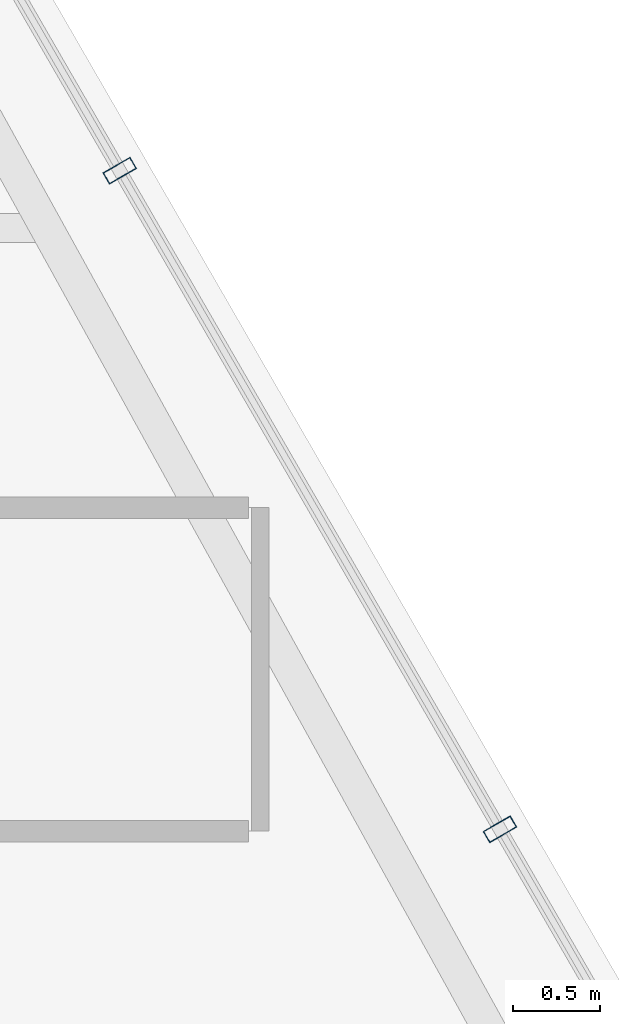
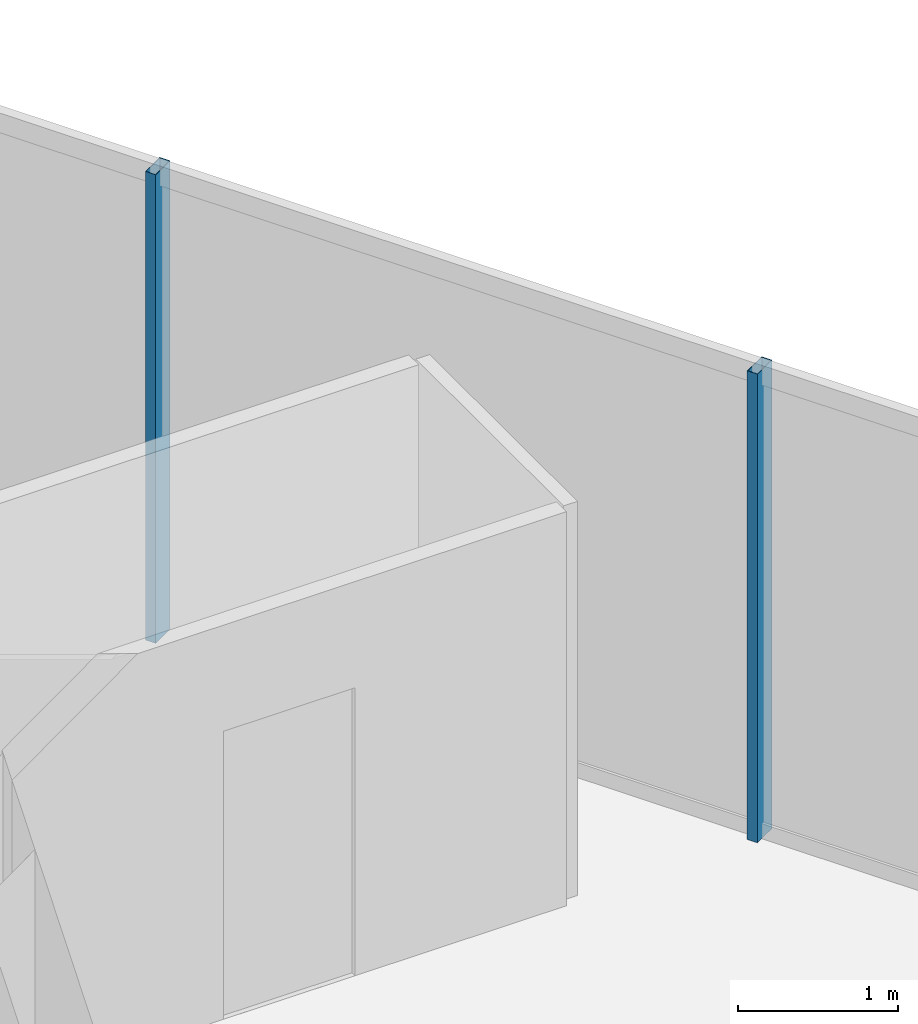
# One storey, part 15 of 29: 2 members, 1 element without a shape of its own.
"""IFC4 building model written with IfcOpenShell, lengths in metres."""

from ifc_helpers import new_model, si_unit, direction, frame, origin, origin_2d, place, context, subcontext, project, spatial, hollow_rectangle, extrude, material, layer, layer_set, material_profile, profile_set, type_object, element, aggregate, save


model = new_model("IFC4")

# Units and contexts
model_context = context("Model", 3, precision=1e-05, world=origin(), true_north=direction((0.0, 1.0)))
body_context = subcontext(model_context, "Body", "Model", "MODEL_VIEW")
ifc_project = project(units=[si_unit("LENGTHUNIT", "METRE"), si_unit("AREAUNIT", "SQUARE_METRE"), si_unit("VOLUMEUNIT", "CUBIC_METRE"), si_unit("PLANEANGLEUNIT", "RADIAN"), si_unit("MASSUNIT", "GRAM", prefix="KILO")], contexts=[model_context])

# Site, building, storey
site_placement = place(None, origin())
site = spatial("IfcSite", under=ifc_project, at=site_placement, CompositionType="ELEMENT")
building_placement = place(site_placement, origin())
building = spatial("IfcBuilding", under=site, at=building_placement, Name="Ndaravel Arena Tower", CompositionType="ELEMENT")
storey_placement = place(building_placement, frame((0.0, 0.0, 233.199951171875)))
storey = spatial("IfcBuildingStorey", under=building, at=storey_placement, Name="L56", CompositionType="ELEMENT", Elevation=233.199951171875)

# Curtain wall, members
ifc_material_1 = material(Name="Aluminium", Category="aluminium")
ifc_layer = layer(ifc_material_1, 0.179931640625)
ifc_layer_set = layer_set([ifc_layer], Name="Aluminium")
curtain_wall_type = type_object("IfcCurtainWallType", Name="CW-SYS-03", PredefinedType="NOTDEFINED", material=ifc_layer_set)
curtain_wall_placement = place(storey_placement, origin())
curtain_wall = element("IfcCurtainWall", 1, at=curtain_wall_placement, inside=storey, type_object=curtain_wall_type, Name="L56 Faceted Crystal Curtain Wall CW-L56-E03", PredefinedType="NOTDEFINED")
ifc_material_2 = material(Name="Aluminium", Category="aluminium")
ifc_material_profile = material_profile(ifc_material_2, hollow_rectangle(XDim=0.074951171875, YDim=0.179931640625, WallThickness=0.00390625, at=origin_2d()), Name="CW MULLION 75x180x4")
ifc_profile_set = profile_set([ifc_material_profile], Name="Aluminium")
member_type = type_object("IfcMemberType", Name="MEM-CW-MUL180", PredefinedType="MULLION", material=ifc_profile_set)
member_1_placement = place(storey_placement, frame((62.993896484375, 15.160888671875, 0.0), z_axis=(0.0, 0.0, 1.0), x_axis=(-0.5, 0.866025403784, 0.0)))
member_1 = element("IfcMember", 2, at=member_1_placement, type_object=member_type, Name="CW-L56-E03 Mullion 01", PredefinedType="MULLION", context=body_context, shape_type="SweptSolid", body=[
    extrude(hollow_rectangle(XDim=0.074951171875, YDim=0.179931640625, WallThickness=0.00390625, at=origin_2d()), origin(), (0.0, 0.0, 1.0), 3.580078125),
])
member_2_placement = place(storey_placement, frame((60.819580078125, 18.927001953125, 0.0), z_axis=(0.0, 0.0, 1.0), x_axis=(-0.5, 0.866025403784, 0.0)))
member_2 = element("IfcMember", 3, at=member_2_placement, type_object=member_type, Name="CW-L56-E03 Mullion 02", PredefinedType="MULLION", context=body_context, shape_type="SweptSolid", body=[
    extrude(hollow_rectangle(XDim=0.074951171875, YDim=0.179931640625, WallThickness=0.00390625, at=origin_2d()), origin(), (0.0, 0.0, 1.0), 3.580078125),
])
aggregate(curtain_wall, [member_1, member_2])

save(model, "model.ifc")
